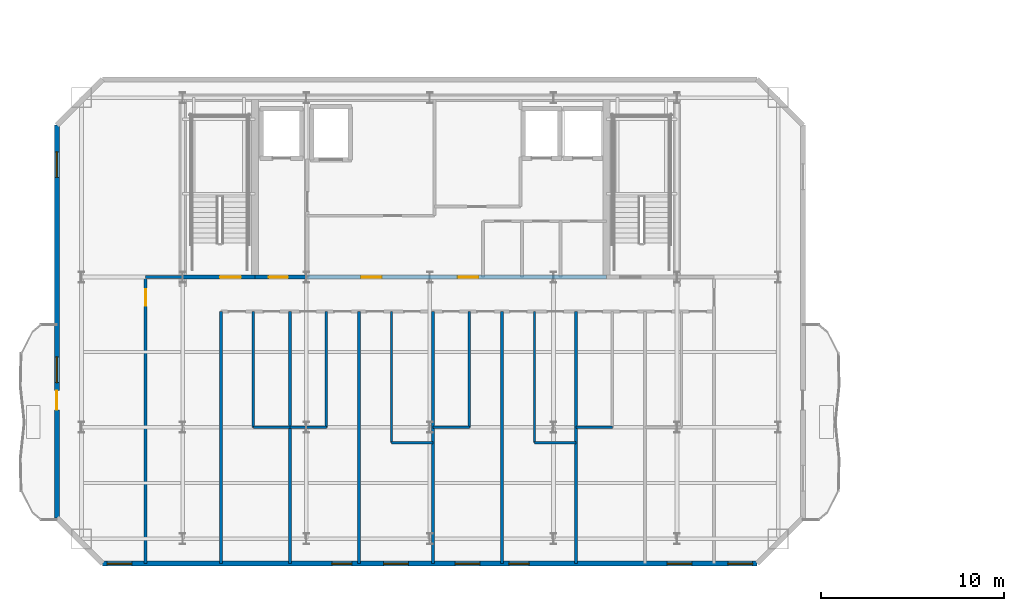
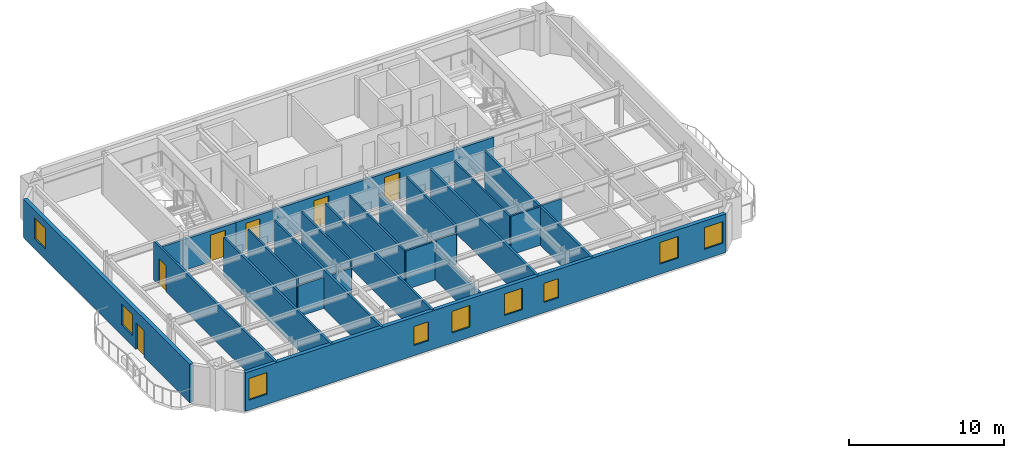
# One storey, part 5 of 14: 24 walls, 9 windows, 6 doors, 15 openings.
"""IFC4 building model written with IfcOpenShell, lengths in metres."""

from ifc_helpers import new_model, si_unit, direction, frame, frame_2d, origin, place, context, subcontext, project, spatial, rectangle, extrude, material, layer, layer_set, type_object, element, fill, save


model = new_model("IFC4")

# Units and contexts
model_context = context("Model", 3, precision=1e-05, world=origin(), true_north=direction((0.0, 1.0)))
body_context = subcontext(model_context, "Body", "Model", "MODEL_VIEW")
ifc_project = project(units=[si_unit("LENGTHUNIT", "METRE"), si_unit("AREAUNIT", "SQUARE_METRE"), si_unit("VOLUMEUNIT", "CUBIC_METRE"), si_unit("PLANEANGLEUNIT", "RADIAN"), si_unit("MASSUNIT", "GRAM", prefix="KILO")], contexts=[model_context])

# Site, building, storey
site_placement = place(None, origin())
site = spatial("IfcSite", under=ifc_project, at=site_placement, CompositionType="ELEMENT")
building_placement = place(site_placement, origin())
building = spatial("IfcBuilding", under=site, at=building_placement, Name="Haevon Station Towers", CompositionType="ELEMENT")
storey_placement = place(building_placement, frame((0.0, 0.0, 212.10009765625)))
storey = spatial("IfcBuildingStorey", under=building, at=storey_placement, Name="L58", CompositionType="ELEMENT", Elevation=212.10009765625)

# Wall, opening, door
ifc_material_1 = material(Name="Gypsum board on steel stud", Category="steel")
ifc_layer_1 = layer(ifc_material_1, 0.199951171875)
ifc_layer_set_1 = layer_set([ifc_layer_1], Name="Gypsum board on steel stud")
wall_type_1 = type_object("IfcWallType", Name="WL-COR200", PredefinedType="PARTITIONING", material=ifc_layer_set_1)
wall_1_placement = place(storey_placement, frame((24.0, 38.199951171875, 0.0), z_axis=(0.0, 0.0, 1.0), x_axis=(1.0, 0.0, 0.0)))
wall_1 = element("IfcWall", 1, at=wall_1_placement, inside=storey, type_object=wall_type_1, Name="WL-ST-ST1-L58", PredefinedType="PARTITIONING", context=body_context, shape_type="SweptSolid", body=[
    extrude(rectangle(XDim=3.949951171875, YDim=0.199951171875, at=frame_2d((1.97509765625, 0.0))), origin(), (0.0, 0.0, 1.0), 2.429931640625),
])
opening_1_placement = place(wall_1_placement, frame((2.050048828125, 0.0, 0.0)))
opening_1 = element("IfcOpeningElement", 2, at=opening_1_placement, cuts=wall_1, Name="Opening DR-ST-ST1-L58", PredefinedType="OPENING", context=body_context, shape_type="SweptSolid", body=[
    extrude(rectangle(XDim=1.1201171875, YDim=2.10009765625, at=frame_2d((0.56005859375, 1.050048828125))), frame((0.0, 0.10986328125, 0.0), z_axis=(0.0, -1.0, 0.0), x_axis=(1.0, 0.0, 0.0)), (0.0, 0.0, 1.0), 0.219970703125),
])
ifc_material_2 = material(Name="Engineered oak timber", Category="wood")
door_type_1 = type_object("IfcDoorType", Name="DR-ST-1120", OperationType="NOTDEFINED", PredefinedType="DOOR", material=ifc_material_2)
door_1_placement = place(opening_1_placement, origin())
door_1 = element("IfcDoor", 3, at=door_1_placement, inside=storey, type_object=door_type_1, Name="L58 Escape Stair ST1 Fire Door", OperationType="SINGLE_SWING_RIGHT", OverallHeight=2.10009765625, OverallWidth=1.1201171875, PredefinedType="DOOR", context=body_context, shape_type="SweptSolid", body=[
    extrude(rectangle(XDim=1.1201171875, YDim=2.10009765625, at=frame_2d((0.56005859375, 1.050048828125))), frame((0.0, 0.02490234375, 0.0), z_axis=(0.0, -1.0, 0.0), x_axis=(1.0, 0.0, 0.0)), (0.0, 0.0, 1.0), 0.050048828125),
])
fill(opening_1, door_1)

wall_2_placement = place(storey_placement, frame((27.949951171875, 38.199951171875, 0.0), z_axis=(0.0, 0.0, 1.0), x_axis=(1.0, 0.0, 0.0)))
wall_2 = element("IfcWall", 4, at=wall_2_placement, inside=storey, type_object=wall_type_1, Name="WL-T1FFL-L58-S", PredefinedType="PARTITIONING", context=body_context, shape_type="SweptSolid", body=[
    extrude(rectangle(XDim=2.85009765625, YDim=0.199951171875, at=frame_2d((1.425048828125, 0.0))), origin(), (0.0, 0.0, 1.0), 2.429931640625),
])
opening_2_placement = place(wall_2_placement, frame((0.75, 0.0, 0.0)))
opening_2 = element("IfcOpeningElement", 5, at=opening_2_placement, cuts=wall_2, Name="Opening DR-T1FFL-L58-S", PredefinedType="OPENING", context=body_context, shape_type="SweptSolid", body=[
    extrude(rectangle(XDim=1.050048828125, YDim=2.10009765625, at=frame_2d((0.52490234375, 1.050048828125))), frame((0.0, 0.10986328125, 0.0), z_axis=(0.0, -1.0, 0.0), x_axis=(1.0, 0.0, 0.0)), (0.0, 0.0, 1.0), 0.219970703125),
])
door_type_2 = type_object("IfcDoorType", Name="DR-FD60-1050", OperationType="NOTDEFINED", PredefinedType="DOOR", material=ifc_material_2)
door_2_placement = place(opening_2_placement, origin())
door_2 = element("IfcDoor", 6, at=door_2_placement, inside=storey, type_object=door_type_2, Name="L58 Tower 1 Firefighting Lift Lobby Door S", OperationType="SINGLE_SWING_LEFT", OverallHeight=2.10009765625, OverallWidth=1.050048828125, PredefinedType="DOOR", context=body_context, shape_type="SweptSolid", body=[
    extrude(rectangle(XDim=1.050048828125, YDim=2.10009765625, at=frame_2d((0.52490234375, 1.050048828125))), frame((0.0, 0.02490234375, 0.0), z_axis=(0.0, -1.0, 0.0), x_axis=(1.0, 0.0, 0.0)), (0.0, 0.0, 1.0), 0.050048828125),
])
fill(opening_2, door_2)

# Wall, openings, doors
wall_3_placement = place(storey_placement, frame((30.800048828125, 38.199951171875, 0.0), z_axis=(0.0, 0.0, 1.0), x_axis=(1.0, 0.0, 0.0)))
wall_3 = element("IfcWall", 7, at=wall_3_placement, inside=storey, type_object=wall_type_1, Name="WL-T1CLB-L58", PredefinedType="PARTITIONING", context=body_context, shape_type="SweptSolid", body=[
    extrude(rectangle(XDim=16.349853515625, YDim=0.199951171875, at=frame_2d((8.1748046875, 0.0))), origin(), (0.0, 0.0, 1.0), 2.429931640625),
])
opening_3_placement = place(wall_3_placement, frame((2.949951171875, 0.0, 0.0)))
opening_3 = element("IfcOpeningElement", 8, at=opening_3_placement, cuts=wall_3, Name="Opening DR-T1CLB-L58-1", PredefinedType="OPENING", context=body_context, shape_type="SweptSolid", body=[
    extrude(rectangle(XDim=1.1201171875, YDim=2.10009765625, at=frame_2d((0.56005859375, 1.050048828125))), frame((0.0, 0.10986328125, 0.0), z_axis=(0.0, -1.0, 0.0), x_axis=(1.0, 0.0, 0.0)), (0.0, 0.0, 1.0), 0.219970703125),
])
opening_4_placement = place(wall_3_placement, frame((8.22998046875, 0.0, 0.0)))
opening_4 = element("IfcOpeningElement", 9, at=opening_4_placement, cuts=wall_3, Name="Opening DR-T1CLB-L58-2", PredefinedType="OPENING", context=body_context, shape_type="SweptSolid", body=[
    extrude(rectangle(XDim=1.1201171875, YDim=2.10009765625, at=frame_2d((0.56005859375, 1.050048828125))), frame((0.0, 0.10986328125, 0.0), z_axis=(0.0, -1.0, 0.0), x_axis=(1.0, 0.0, 0.0)), (0.0, 0.0, 1.0), 0.219970703125),
])
door_3_placement = place(opening_3_placement, origin())
door_3 = element("IfcDoor", 10, at=door_3_placement, inside=storey, type_object=door_type_1, Name="L58 Tower 1 Core Lift Lobby Door 1", OperationType="SINGLE_SWING_RIGHT", OverallHeight=2.10009765625, OverallWidth=1.1201171875, PredefinedType="DOOR", context=body_context, shape_type="SweptSolid", body=[
    extrude(rectangle(XDim=1.1201171875, YDim=2.10009765625, at=frame_2d((0.56005859375, 1.050048828125))), frame((0.0, 0.02490234375, 0.0), z_axis=(0.0, -1.0, 0.0), x_axis=(1.0, 0.0, 0.0)), (0.0, 0.0, 1.0), 0.050048828125),
])
fill(opening_3, door_3)
door_4_placement = place(opening_4_placement, origin())
door_4 = element("IfcDoor", 11, at=door_4_placement, inside=storey, type_object=door_type_1, Name="L58 Tower 1 Core Lift Lobby Door 2", OperationType="SINGLE_SWING_LEFT", OverallHeight=2.10009765625, OverallWidth=1.1201171875, PredefinedType="DOOR", context=body_context, shape_type="SweptSolid", body=[
    extrude(rectangle(XDim=1.1201171875, YDim=2.10009765625, at=frame_2d((0.56005859375, 1.050048828125))), frame((0.0, 0.02490234375, 0.0), z_axis=(0.0, -1.0, 0.0), x_axis=(1.0, 0.0, 0.0)), (0.0, 0.0, 1.0), 0.050048828125),
])
fill(opening_4, door_4)

# Wall, openings, windows
ifc_material_3 = material(Name="Precast concrete C45/55", Category="concrete")
ifc_layer_2 = layer(ifc_material_3, 0.280029296875)
ifc_layer_set_2 = layer_set([ifc_layer_2], Name="Precast concrete C45/55")
wall_type_2 = type_object("IfcWallType", Name="WL-EXT-PIER280", PredefinedType="SOLIDWALL", material=ifc_layer_set_2)
wall_4_placement = place(storey_placement, frame((55.375, 22.550048828125, 0.0), z_axis=(0.0, 0.0, 1.0), x_axis=(-1.0, 0.0, 0.0)))
wall_4 = element("IfcWall", 12, at=wall_4_placement, inside=storey, type_object=wall_type_2, Name="WL-T1-L58-S", PredefinedType="SOLIDWALL", context=body_context, shape_type="SweptSolid", body=[
    extrude(rectangle(XDim=35.75, YDim=0.280029296875, at=frame_2d((17.875, 0.0))), origin(), (0.0, 0.0, 1.0), 3.02978515625),
])
opening_5_placement = place(wall_4_placement, frame((34.14990234375, 0.0, 0.800048828125)))
opening_5 = element("IfcOpeningElement", 13, at=opening_5_placement, cuts=wall_4, Name="Opening WN-P135", PredefinedType="OPENING", context=body_context, shape_type="SweptSolid", body=[
    extrude(rectangle(XDim=1.35009765625, YDim=1.699951171875, at=frame_2d((0.675048828125, 0.85009765625))), frame((0.0, 0.14990234375, 0.0), z_axis=(0.0, -1.0, 0.0), x_axis=(1.0, 0.0, 0.0)), (0.0, 0.0, 1.0), 0.300048828125),
])
opening_6_placement = place(wall_4_placement, frame((0.25, 0.0, 0.800048828125)))
opening_6 = element("IfcOpeningElement", 14, at=opening_6_placement, cuts=wall_4, Name="Opening WN-P135", PredefinedType="OPENING", context=body_context, shape_type="SweptSolid", body=[
    extrude(rectangle(XDim=1.35009765625, YDim=1.699951171875, at=frame_2d((0.675048828125, 0.85009765625))), frame((0.0, 0.14990234375, 0.0), z_axis=(0.0, -1.0, 0.0), x_axis=(1.0, 0.0, 0.0)), (0.0, 0.0, 1.0), 0.300048828125),
])
opening_7_placement = place(wall_4_placement, frame((22.13037109375, 0.0, 0.800048828125)))
opening_7 = element("IfcOpeningElement", 15, at=opening_7_placement, cuts=wall_4, Name="Opening WN-COR110", PredefinedType="OPENING", context=body_context, shape_type="SweptSolid", body=[
    extrude(rectangle(XDim=1.10009765625, YDim=1.5, at=frame_2d((0.550048828125, 0.75))), frame((0.0, 0.14990234375, 0.0), z_axis=(0.0, -1.0, 0.0), x_axis=(1.0, 0.0, 0.0)), (0.0, 0.0, 1.0), 0.300048828125),
])
opening_8_placement = place(wall_4_placement, frame((19.0546875, 0.0, 0.800048828125)))
opening_8 = element("IfcOpeningElement", 16, at=opening_8_placement, cuts=wall_4, Name="Opening WN-P135", PredefinedType="OPENING", context=body_context, shape_type="SweptSolid", body=[
    extrude(rectangle(XDim=1.35009765625, YDim=1.699951171875, at=frame_2d((0.675048828125, 0.85009765625))), frame((0.0, 0.14990234375, 0.0), z_axis=(0.0, -1.0, 0.0), x_axis=(1.0, 0.0, 0.0)), (0.0, 0.0, 1.0), 0.300048828125),
])
opening_9_placement = place(wall_4_placement, frame((15.147705078125, 0.0, 0.800048828125)))
opening_9 = element("IfcOpeningElement", 17, at=opening_9_placement, cuts=wall_4, Name="Opening WN-P135", PredefinedType="OPENING", context=body_context, shape_type="SweptSolid", body=[
    extrude(rectangle(XDim=1.35009765625, YDim=1.699951171875, at=frame_2d((0.675048828125, 0.85009765625))), frame((0.0, 0.14990234375, 0.0), z_axis=(0.0, -1.0, 0.0), x_axis=(1.0, 0.0, 0.0)), (0.0, 0.0, 1.0), 0.300048828125),
])
opening_10_placement = place(wall_4_placement, frame((12.456298828125, 0.0, 0.800048828125)))
opening_10 = element("IfcOpeningElement", 18, at=opening_10_placement, cuts=wall_4, Name="Opening WN-COR110", PredefinedType="OPENING", context=body_context, shape_type="SweptSolid", body=[
    extrude(rectangle(XDim=1.10009765625, YDim=1.5, at=frame_2d((0.550048828125, 0.75))), frame((0.0, 0.14990234375, 0.0), z_axis=(0.0, -1.0, 0.0), x_axis=(1.0, 0.0, 0.0)), (0.0, 0.0, 1.0), 0.300048828125),
])
opening_11_placement = place(wall_4_placement, frame((3.561279296875, 0.0, 0.800048828125)))
opening_11 = element("IfcOpeningElement", 19, at=opening_11_placement, cuts=wall_4, Name="Opening WN-P135", PredefinedType="OPENING", context=body_context, shape_type="SweptSolid", body=[
    extrude(rectangle(XDim=1.35009765625, YDim=1.699951171875, at=frame_2d((0.675048828125, 0.85009765625))), frame((0.0, 0.14990234375, 0.0), z_axis=(0.0, -1.0, 0.0), x_axis=(1.0, 0.0, 0.0)), (0.0, 0.0, 1.0), 0.300048828125),
])
ifc_material_4 = material(Name="Low-E triple glazing in thermally broken aluminium", Category="aluminium")
window_type_1 = type_object("IfcWindowType", Name="WN-COR110", PartitioningType="SINGLE_PANEL", PredefinedType="WINDOW", material=ifc_material_4)
window_1_placement = place(opening_7_placement, origin())
window_1 = element("IfcWindow", 20, at=window_1_placement, inside=storey, type_object=window_type_1, Name="WN-T1-L58-S03", OverallHeight=1.5, OverallWidth=1.10009765625, PartitioningType="SINGLE_PANEL", PredefinedType="WINDOW", context=body_context, shape_type="SweptSolid", body=[
    extrude(rectangle(XDim=1.10009765625, YDim=1.5, at=frame_2d((0.550048828125, 0.75))), frame((0.0, 0.030029296875, 0.0), z_axis=(0.0, -1.0, 0.0), x_axis=(1.0, 0.0, 0.0)), (0.0, 0.0, 1.0), 0.06005859375),
])
fill(opening_7, window_1)
window_2_placement = place(opening_10_placement, origin())
window_2 = element("IfcWindow", 21, at=window_2_placement, inside=storey, type_object=window_type_1, Name="WN-T1-L58-S06", OverallHeight=1.5, OverallWidth=1.10009765625, PartitioningType="SINGLE_PANEL", PredefinedType="WINDOW", context=body_context, shape_type="SweptSolid", body=[
    extrude(rectangle(XDim=1.10009765625, YDim=1.5, at=frame_2d((0.550048828125, 0.75))), frame((0.0, 0.030029296875, 0.0), z_axis=(0.0, -1.0, 0.0), x_axis=(1.0, 0.0, 0.0)), (0.0, 0.0, 1.0), 0.06005859375),
])
fill(opening_10, window_2)
window_type_2 = type_object("IfcWindowType", Name="WN-P135", PartitioningType="SINGLE_PANEL", PredefinedType="WINDOW", material=ifc_material_4)
window_3_placement = place(opening_5_placement, origin())
window_3 = element("IfcWindow", 22, at=window_3_placement, inside=storey, type_object=window_type_2, Name="WN-T1-L58-S01", OverallHeight=1.699951171875, OverallWidth=1.35009765625, PartitioningType="SINGLE_PANEL", PredefinedType="WINDOW", context=body_context, shape_type="SweptSolid", body=[
    extrude(rectangle(XDim=1.35009765625, YDim=1.699951171875, at=frame_2d((0.675048828125, 0.85009765625))), frame((0.0, 0.030029296875, 0.0), z_axis=(0.0, -1.0, 0.0), x_axis=(1.0, 0.0, 0.0)), (0.0, 0.0, 1.0), 0.06005859375),
])
fill(opening_5, window_3)
window_4_placement = place(opening_6_placement, origin())
window_4 = element("IfcWindow", 23, at=window_4_placement, inside=storey, type_object=window_type_2, Name="WN-T1-L58-S02", OverallHeight=1.699951171875, OverallWidth=1.35009765625, PartitioningType="SINGLE_PANEL", PredefinedType="WINDOW", context=body_context, shape_type="SweptSolid", body=[
    extrude(rectangle(XDim=1.35009765625, YDim=1.699951171875, at=frame_2d((0.675048828125, 0.85009765625))), frame((0.0, 0.030029296875, 0.0), z_axis=(0.0, -1.0, 0.0), x_axis=(1.0, 0.0, 0.0)), (0.0, 0.0, 1.0), 0.06005859375),
])
fill(opening_6, window_4)
window_5_placement = place(opening_8_placement, origin())
window_5 = element("IfcWindow", 24, at=window_5_placement, inside=storey, type_object=window_type_2, Name="WN-T1-L58-S04", OverallHeight=1.699951171875, OverallWidth=1.35009765625, PartitioningType="SINGLE_PANEL", PredefinedType="WINDOW", context=body_context, shape_type="SweptSolid", body=[
    extrude(rectangle(XDim=1.35009765625, YDim=1.699951171875, at=frame_2d((0.675048828125, 0.85009765625))), frame((0.0, 0.030029296875, 0.0), z_axis=(0.0, -1.0, 0.0), x_axis=(1.0, 0.0, 0.0)), (0.0, 0.0, 1.0), 0.06005859375),
])
fill(opening_8, window_5)
window_6_placement = place(opening_9_placement, origin())
window_6 = element("IfcWindow", 25, at=window_6_placement, inside=storey, type_object=window_type_2, Name="WN-T1-L58-S05", OverallHeight=1.699951171875, OverallWidth=1.35009765625, PartitioningType="SINGLE_PANEL", PredefinedType="WINDOW", context=body_context, shape_type="SweptSolid", body=[
    extrude(rectangle(XDim=1.35009765625, YDim=1.699951171875, at=frame_2d((0.675048828125, 0.85009765625))), frame((0.0, 0.030029296875, 0.0), z_axis=(0.0, -1.0, 0.0), x_axis=(1.0, 0.0, 0.0)), (0.0, 0.0, 1.0), 0.06005859375),
])
fill(opening_9, window_6)
window_7_placement = place(opening_11_placement, origin())
window_7 = element("IfcWindow", 26, at=window_7_placement, inside=storey, type_object=window_type_2, Name="WN-T1-L58-S07", OverallHeight=1.699951171875, OverallWidth=1.35009765625, PartitioningType="SINGLE_PANEL", PredefinedType="WINDOW", context=body_context, shape_type="SweptSolid", body=[
    extrude(rectangle(XDim=1.35009765625, YDim=1.699951171875, at=frame_2d((0.675048828125, 0.85009765625))), frame((0.0, 0.030029296875, 0.0), z_axis=(0.0, -1.0, 0.0), x_axis=(1.0, 0.0, 0.0)), (0.0, 0.0, 1.0), 0.06005859375),
])
fill(opening_11, window_7)

# Wall, openings, door, windows
wall_5_placement = place(storey_placement, frame((17.125, 25.050048828125, 0.0), z_axis=(0.0, 0.0, 1.0), x_axis=(0.0, 1.0, 0.0)))
wall_5 = element("IfcWall", 27, at=wall_5_placement, inside=storey, type_object=wall_type_2, Name="WL-T1-L58-W", PredefinedType="SOLIDWALL", context=body_context, shape_type="SweptSolid", body=[
    extrude(rectangle(XDim=21.449951171875, YDim=0.280029296875, at=frame_2d((10.72509765625, 0.0))), origin(), (0.0, 0.0, 1.0), 3.02978515625),
])
opening_12_placement = place(wall_5_placement, frame((5.89990234375, 0.0, 0.0)))
opening_12 = element("IfcOpeningElement", 28, at=opening_12_placement, cuts=wall_5, Name="Opening DR-T1-SCAL-L58-W", PredefinedType="OPENING", context=body_context, shape_type="SweptSolid", body=[
    extrude(rectangle(XDim=1.050048828125, YDim=2.10009765625, at=frame_2d((0.52490234375, 1.050048828125))), frame((0.0, 0.14990234375, 0.0), z_axis=(0.0, -1.0, 0.0), x_axis=(1.0, 0.0, 0.0)), (0.0, 0.0, 1.0), 0.300048828125),
])
opening_13_placement = place(wall_5_placement, frame((7.389404296875, 0.0, 0.800048828125)))
opening_13 = element("IfcOpeningElement", 29, at=opening_13_placement, cuts=wall_5, Name="Opening WN-END140", PredefinedType="OPENING", context=body_context, shape_type="SweptSolid", body=[
    extrude(rectangle(XDim=1.39990234375, YDim=1.64990234375, at=frame_2d((0.699951171875, 0.824951171875))), frame((0.0, 0.14990234375, 0.0), z_axis=(0.0, -1.0, 0.0), x_axis=(1.0, 0.0, 0.0)), (0.0, 0.0, 1.0), 0.300048828125),
])
opening_14_placement = place(wall_5_placement, frame((18.591064453125, 0.0, 0.800048828125)))
opening_14 = element("IfcOpeningElement", 30, at=opening_14_placement, cuts=wall_5, Name="Opening WN-END140", PredefinedType="OPENING", context=body_context, shape_type="SweptSolid", body=[
    extrude(rectangle(XDim=1.39990234375, YDim=1.64990234375, at=frame_2d((0.699951171875, 0.824951171875))), frame((0.0, 0.14990234375, 0.0), z_axis=(0.0, -1.0, 0.0), x_axis=(1.0, 0.0, 0.0)), (0.0, 0.0, 1.0), 0.300048828125),
])
ifc_material_5 = material(Name="Thermally broken anodised aluminium and laminated safety glass", Category="aluminium")
door_type_3 = type_object("IfcDoorType", Name="DR-BALC-1050", OperationType="NOTDEFINED", PredefinedType="DOOR", material=ifc_material_5)
door_5_placement = place(opening_12_placement, origin())
door_5 = element("IfcDoor", 31, at=door_5_placement, inside=storey, type_object=door_type_3, Name="Tower 1 L58 West Scalloped Balcony Door", OperationType="SINGLE_SWING_RIGHT", OverallHeight=2.10009765625, OverallWidth=1.050048828125, PredefinedType="DOOR", context=body_context, shape_type="SweptSolid", body=[
    extrude(rectangle(XDim=1.050048828125, YDim=2.10009765625, at=frame_2d((0.52490234375, 1.050048828125))), frame((0.0, 0.02490234375, 0.0), z_axis=(0.0, -1.0, 0.0), x_axis=(1.0, 0.0, 0.0)), (0.0, 0.0, 1.0), 0.050048828125),
])
fill(opening_12, door_5)
window_type_3 = type_object("IfcWindowType", Name="WN-END140", PartitioningType="SINGLE_PANEL", PredefinedType="WINDOW", material=ifc_material_4)
window_8_placement = place(opening_13_placement, origin())
window_8 = element("IfcWindow", 32, at=window_8_placement, inside=storey, type_object=window_type_3, Name="WN-T1-L58-W01", OverallHeight=1.64990234375, OverallWidth=1.39990234375, PartitioningType="SINGLE_PANEL", PredefinedType="WINDOW", context=body_context, shape_type="SweptSolid", body=[
    extrude(rectangle(XDim=1.39990234375, YDim=1.64990234375, at=frame_2d((0.699951171875, 0.824951171875))), frame((0.0, 0.030029296875, 0.0), z_axis=(0.0, -1.0, 0.0), x_axis=(1.0, 0.0, 0.0)), (0.0, 0.0, 1.0), 0.06005859375),
])
fill(opening_13, window_8)
window_9_placement = place(opening_14_placement, origin())
window_9 = element("IfcWindow", 33, at=window_9_placement, inside=storey, type_object=window_type_3, Name="WN-T1-L58-W02", OverallHeight=1.64990234375, OverallWidth=1.39990234375, PartitioningType="SINGLE_PANEL", PredefinedType="WINDOW", context=body_context, shape_type="SweptSolid", body=[
    extrude(rectangle(XDim=1.39990234375, YDim=1.64990234375, at=frame_2d((0.699951171875, 0.824951171875))), frame((0.0, 0.030029296875, 0.0), z_axis=(0.0, -1.0, 0.0), x_axis=(1.0, 0.0, 0.0)), (0.0, 0.0, 1.0), 0.06005859375),
])
fill(opening_14, window_9)

# Walls
ifc_layer_3 = layer(ifc_material_1, 0.125)
ifc_layer_set_3 = layer_set([ifc_layer_3], Name="Gypsum board on steel stud")
wall_type_3 = type_object("IfcWallType", Name="WL-PRT125", PredefinedType="PARTITIONING", material=ifc_layer_set_3)
wall_6_placement = place(storey_placement, frame((27.860107421875, 29.990966796875, 0.0), z_axis=(0.0, 0.0, 1.0), x_axis=(0.0, 1.0, 0.0)))
element("IfcWall", 34, at=wall_6_placement, inside=storey, type_object=wall_type_3, Name="WL-T1PT-L58-07", PredefinedType="PARTITIONING", context=body_context, shape_type="SweptSolid", body=[
    extrude(rectangle(XDim=6.3291015625, YDim=0.125, at=frame_2d((3.16455078125, 0.0))), origin(), (0.0, 0.0, 1.0), 3.02978515625),
])
wall_7_placement = place(storey_placement, frame((29.852294921875, 29.990966796875, 0.0), z_axis=(0.0, 0.0, 1.0), x_axis=(1.0, 0.0, 0.0)))
element("IfcWall", 35, at=wall_7_placement, inside=storey, type_object=wall_type_3, Name="WL-T1PT-L58-09", PredefinedType="PARTITIONING", context=body_context, shape_type="SweptSolid", body=[
    extrude(rectangle(XDim=1.9921875, YDim=0.125, at=frame_2d((0.99609375, 0.0))), origin(), (0.0, 0.0, 1.0), 2.429931640625),
])
wall_8_placement = place(storey_placement, frame((35.404541015625, 29.1591796875, 0.0), z_axis=(0.0, 0.0, 1.0), x_axis=(0.0, 1.0, 0.0)))
element("IfcWall", 36, at=wall_8_placement, inside=storey, type_object=wall_type_3, Name="WL-T1PT-L58-13", PredefinedType="PARTITIONING", context=body_context, shape_type="SweptSolid", body=[
    extrude(rectangle(XDim=7.160888671875, YDim=0.125, at=frame_2d((3.58056640625, 0.0))), origin(), (0.0, 0.0, 1.0), 3.02978515625),
])
wall_9_placement = place(storey_placement, frame((37.666259765625, 29.990966796875, 0.0), z_axis=(0.0, 0.0, 1.0), x_axis=(1.0, 0.0, 0.0)))
element("IfcWall", 37, at=wall_9_placement, inside=storey, type_object=wall_type_3, Name="WL-T1PT-L58-15", PredefinedType="PARTITIONING", context=body_context, shape_type="SweptSolid", body=[
    extrude(rectangle(XDim=1.992431640625, YDim=0.125, at=frame_2d((0.99609375, 0.0))), origin(), (0.0, 0.0, 1.0), 2.429931640625),
])
wall_10_placement = place(storey_placement, frame((43.218505859375, 29.158935546875, 0.0), z_axis=(0.0, 0.0, 1.0), x_axis=(0.0, 1.0, 0.0)))
element("IfcWall", 38, at=wall_10_placement, inside=storey, type_object=wall_type_3, Name="WL-T1PT-L58-19", PredefinedType="PARTITIONING", context=body_context, shape_type="SweptSolid", body=[
    extrude(rectangle(XDim=7.1611328125, YDim=0.125, at=frame_2d((3.58056640625, 0.0))), origin(), (0.0, 0.0, 1.0), 3.02978515625),
])
wall_11_placement = place(storey_placement, frame((45.48046875, 29.990966796875, 0.0), z_axis=(0.0, 0.0, 1.0), x_axis=(1.0, 0.0, 0.0)))
element("IfcWall", 39, at=wall_11_placement, inside=storey, type_object=wall_type_3, Name="WL-T1PT-L58-21", PredefinedType="PARTITIONING", context=body_context, shape_type="SweptSolid", body=[
    extrude(rectangle(XDim=1.9921875, YDim=0.125, at=frame_2d((0.99609375, 0.0))), origin(), (0.0, 0.0, 1.0), 2.429931640625),
])
ifc_layer_4 = layer(ifc_material_1, 0.139892578125)
ifc_layer_set_4 = layer_set([ifc_layer_4], Name="Gypsum board on steel stud")
wall_type_4 = type_object("IfcWallType", Name="WL-PRT140", PredefinedType="PARTITIONING", material=ifc_layer_set_4)
wall_12_placement = place(storey_placement, frame((27.860107421875, 29.990966796875, 0.0), z_axis=(0.0, 0.0, 1.0), x_axis=(1.0, 0.0, 0.0)))
element("IfcWall", 40, at=wall_12_placement, inside=storey, type_object=wall_type_4, Name="WL-T1PT-L58-06", PredefinedType="PARTITIONING", context=body_context, shape_type="SweptSolid", body=[
    extrude(rectangle(XDim=1.9921875, YDim=0.139892578125, at=frame_2d((0.99609375, 0.0))), origin(), (0.0, 0.0, 1.0), 2.429931640625),
])
wall_13_placement = place(storey_placement, frame((31.844482421875, 29.990966796875, 0.0), z_axis=(0.0, 0.0, 1.0), x_axis=(0.0, 1.0, 0.0)))
element("IfcWall", 41, at=wall_13_placement, inside=storey, type_object=wall_type_4, Name="WL-T1PT-L58-10", PredefinedType="PARTITIONING", context=body_context, shape_type="SweptSolid", body=[
    extrude(rectangle(XDim=6.3291015625, YDim=0.139892578125, at=frame_2d((3.16455078125, 0.0))), origin(), (0.0, 0.0, 1.0), 3.02978515625),
])
wall_14_placement = place(storey_placement, frame((35.404541015625, 29.1591796875, 0.0), z_axis=(0.0, 0.0, 1.0), x_axis=(1.0, 0.0, 0.0)))
element("IfcWall", 42, at=wall_14_placement, inside=storey, type_object=wall_type_4, Name="WL-T1PT-L58-12", PredefinedType="PARTITIONING", context=body_context, shape_type="SweptSolid", body=[
    extrude(rectangle(XDim=2.26171875, YDim=0.139892578125, at=frame_2d((1.130859375, 0.0))), origin(), (0.0, 0.0, 1.0), 3.02978515625),
])
wall_15_placement = place(storey_placement, frame((39.65869140625, 29.990966796875, 0.0), z_axis=(0.0, 0.0, 1.0), x_axis=(0.0, 1.0, 0.0)))
element("IfcWall", 43, at=wall_15_placement, inside=storey, type_object=wall_type_4, Name="WL-T1PT-L58-16", PredefinedType="PARTITIONING", context=body_context, shape_type="SweptSolid", body=[
    extrude(rectangle(XDim=6.3291015625, YDim=0.139892578125, at=frame_2d((3.16455078125, 0.0))), origin(), (0.0, 0.0, 1.0), 3.02978515625),
])
wall_16_placement = place(storey_placement, frame((43.218505859375, 29.158935546875, 0.0), z_axis=(0.0, 0.0, 1.0), x_axis=(1.0, 0.0, 0.0)))
element("IfcWall", 44, at=wall_16_placement, inside=storey, type_object=wall_type_4, Name="WL-T1PT-L58-18", PredefinedType="PARTITIONING", context=body_context, shape_type="SweptSolid", body=[
    extrude(rectangle(XDim=2.261962890625, YDim=0.139892578125, at=frame_2d((1.130859375, 0.0))), origin(), (0.0, 0.0, 1.0), 3.02978515625),
])
ifc_layer_5 = layer(ifc_material_1, 0.159912109375)
ifc_layer_set_5 = layer_set([ifc_layer_5], Name="Gypsum board on steel stud")
wall_type_5 = type_object("IfcWallType", Name="WL-PRT160", PredefinedType="PARTITIONING", material=ifc_layer_set_5)
wall_17_placement = place(storey_placement, frame((26.080078125, 22.550048828125, 0.0), z_axis=(0.0, 0.0, 1.0), x_axis=(0.0, 1.0, 0.0)))
element("IfcWall", 45, at=wall_17_placement, inside=storey, type_object=wall_type_5, Name="WL-T1PT-L58-01", PredefinedType="PARTITIONING", context=body_context, shape_type="SweptSolid", body=[
    extrude(rectangle(XDim=13.77001953125, YDim=0.159912109375, at=frame_2d((6.885009765625, 0.0))), origin(), (0.0, 0.0, 1.0), 3.02978515625),
])
wall_18_placement = place(storey_placement, frame((21.97509765625, 38.199951171875, 0.0), z_axis=(0.0, 0.0, 1.0), x_axis=(1.0, 0.0, 0.0)))
element("IfcWall", 46, at=wall_18_placement, inside=storey, type_object=wall_type_5, Name="WL-T1PT-L58-02", PredefinedType="PARTITIONING", context=body_context, shape_type="SweptSolid", body=[
    extrude(rectangle(XDim=2.02490234375, YDim=0.159912109375, at=frame_2d((1.012451171875, 0.0))), origin(), (0.0, 0.0, 1.0), 2.429931640625),
])

# Wall, opening, door
wall_19_placement = place(storey_placement, frame((21.97509765625, 22.550048828125, 0.0), z_axis=(0.0, 0.0, 1.0), x_axis=(0.0, 1.0, 0.0)))
wall_19 = element("IfcWall", 47, at=wall_19_placement, inside=storey, type_object=wall_type_5, Name="WL-T1PT-L58-04", PredefinedType="PARTITIONING", context=body_context, shape_type="SweptSolid", body=[
    extrude(rectangle(XDim=15.64990234375, YDim=0.159912109375, at=frame_2d((7.824951171875, 0.0))), origin(), (0.0, 0.0, 1.0), 3.02978515625),
])
opening_15_placement = place(wall_19_placement, frame((14.090087890625, 0.0, 0.0)))
opening_15 = element("IfcOpeningElement", 48, at=opening_15_placement, cuts=wall_19, Name="Opening DR-WL-T1PT-L58-04-01", PredefinedType="OPENING", context=body_context, shape_type="SweptSolid", body=[
    extrude(rectangle(XDim=0.89990234375, YDim=2.050048828125, at=frame_2d((0.449951171875, 1.02490234375))), frame((0.0, 0.08984375, 0.0), z_axis=(0.0, -1.0, 0.0), x_axis=(1.0, 0.0, 0.0)), (0.0, 0.0, 1.0), 0.179931640625),
])
door_type_4 = type_object("IfcDoorType", Name="DR-INT-900", OperationType="NOTDEFINED", PredefinedType="DOOR", material=ifc_material_2)
door_6_placement = place(opening_15_placement, origin())
door_6 = element("IfcDoor", 49, at=door_6_placement, inside=storey, type_object=door_type_4, Name="L58 Tower 1 Room Door 4-1", OperationType="SINGLE_SWING_RIGHT", OverallHeight=2.050048828125, OverallWidth=0.89990234375, PredefinedType="DOOR", context=body_context, shape_type="SweptSolid", body=[
    extrude(rectangle(XDim=0.89990234375, YDim=2.050048828125, at=frame_2d((0.449951171875, 1.02490234375))), frame((0.0, 0.02490234375, 0.0), z_axis=(0.0, -1.0, 0.0), x_axis=(1.0, 0.0, 0.0)), (0.0, 0.0, 1.0), 0.050048828125),
])
fill(opening_15, door_6)

# Walls
for number, where, z_axis, x_axis, name in (
    (50, (29.852294921875, 22.550048828125, 0.0), (0.0, 0.0, 1.0), (0.0, 1.0, 0.0), "WL-T1PT-L58-08"),
    (51, (33.62451171875, 22.550048828125, 0.0), (0.0, 0.0, 1.0), (0.0, 1.0, 0.0), "WL-T1PT-L58-11"),
):
    element("IfcWall", number, at=place(storey_placement, frame(where, z_axis=z_axis, x_axis=x_axis)), inside=storey, type_object=wall_type_5, Name=name, PredefinedType="PARTITIONING", context=body_context, shape_type="SweptSolid", body=[
        extrude(rectangle(XDim=13.77001953125, YDim=0.159912109375, at=frame_2d((6.885009765625, 0.0))), origin(), (0.0, 0.0, 1.0), 3.02978515625),
    ])
wall_20_placement = place(storey_placement, frame((37.666259765625, 22.550048828125, 0.0), z_axis=(0.0, 0.0, 1.0), x_axis=(0.0, 1.0, 0.0)))
element("IfcWall", 52, at=wall_20_placement, inside=storey, type_object=wall_type_5, Name="WL-T1PT-L58-14", PredefinedType="PARTITIONING", context=body_context, shape_type="SweptSolid", body=[
    extrude(rectangle(XDim=13.77001953125, YDim=0.159912109375, at=frame_2d((6.885009765625, 0.0))), origin(), (0.0, 0.0, 1.0), 2.429931640625),
])
for number, where, z_axis, x_axis, name in (
    (53, (41.438720703125, 22.550048828125, 0.0), (0.0, 0.0, 1.0), (0.0, 1.0, 0.0), "WL-T1PT-L58-17"),
    (54, (45.48046875, 22.550048828125, 0.0), (0.0, 0.0, 1.0), (0.0, 1.0, 0.0), "WL-T1PT-L58-20"),
):
    element("IfcWall", number, at=place(storey_placement, frame(where, z_axis=z_axis, x_axis=x_axis)), inside=storey, type_object=wall_type_5, Name=name, PredefinedType="PARTITIONING", context=body_context, shape_type="SweptSolid", body=[
        extrude(rectangle(XDim=13.77001953125, YDim=0.159912109375, at=frame_2d((6.885009765625, 0.0))), origin(), (0.0, 0.0, 1.0), 3.02978515625),
    ])

save(model, "model.ifc")
